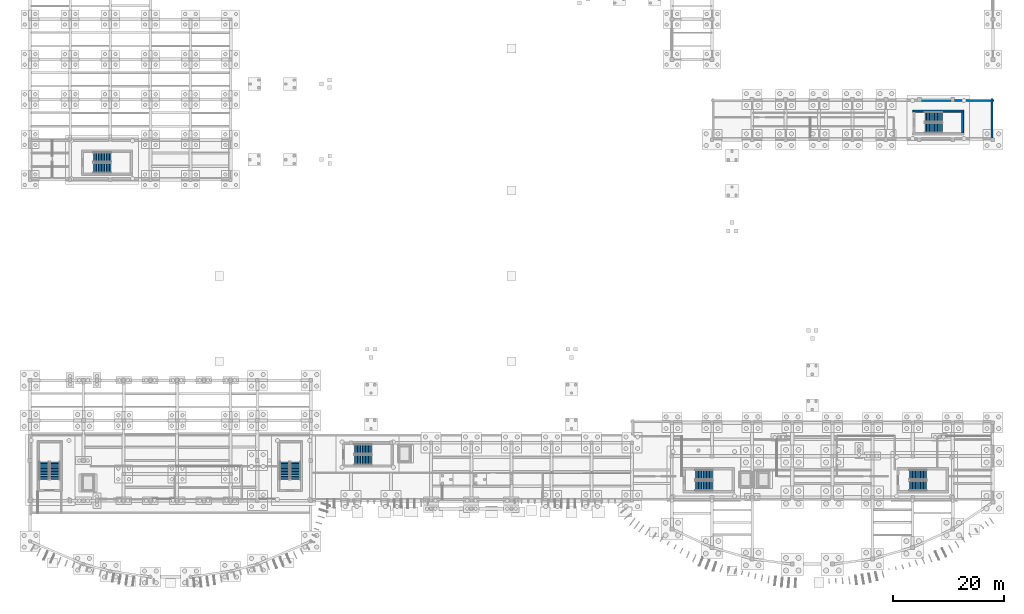
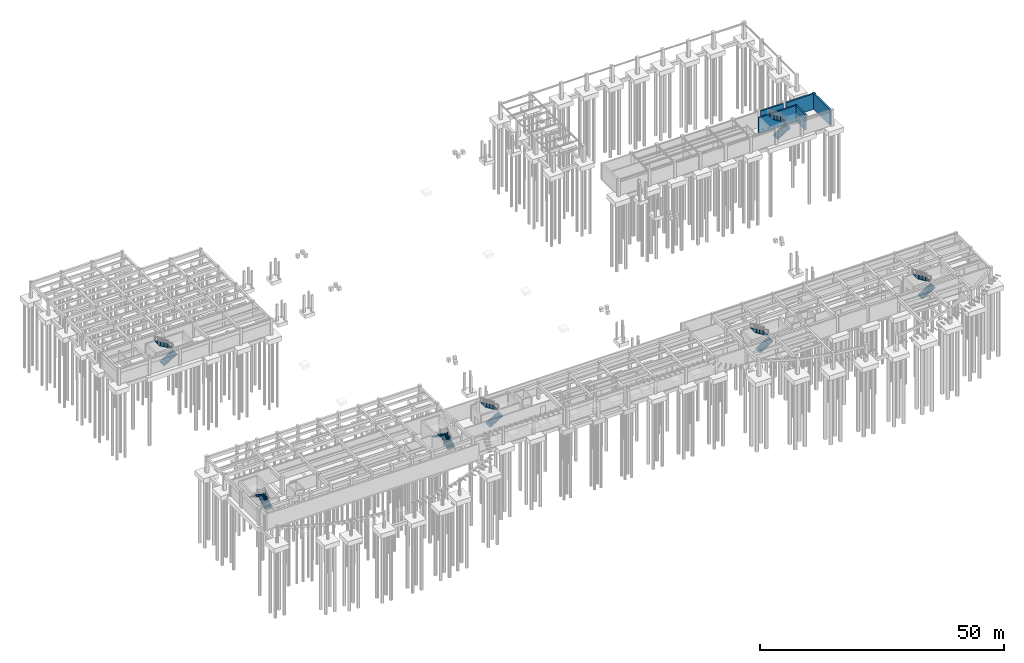
# One storey, part 20 of 31: 14 stair flights, 5 walls, 7 elements without a shape of their own.
"""IFC4 building model written with IfcOpenShell, lengths in metres."""

from ifc_helpers import new_model, si_unit, direction, frame, frame_2d, origin, place, context, subcontext, project, spatial, polyline, rectangle, outline, extrude, material, layer, layer_set, type_object, element, aggregate, save


model = new_model("IFC4")

# Units and contexts
model_context = context("Model", 3, precision=1e-05, world=origin(), true_north=direction((0.0, 1.0)))
body_context = subcontext(model_context, "Body", "Model", "MODEL_VIEW")
ifc_project = project(units=[si_unit("LENGTHUNIT", "METRE"), si_unit("AREAUNIT", "SQUARE_METRE"), si_unit("VOLUMEUNIT", "CUBIC_METRE"), si_unit("PLANEANGLEUNIT", "RADIAN"), si_unit("MASSUNIT", "GRAM", prefix="KILO")], contexts=[model_context])

# Site, building, storey
site_placement = place(None, origin())
site = spatial("IfcSite", under=ifc_project, at=site_placement, CompositionType="ELEMENT")
building_placement = place(site_placement, origin())
building = spatial("IfcBuilding", under=site, at=building_placement, Name="Brisavento Harbour Community Centre", CompositionType="ELEMENT")
storey_placement = place(building_placement, frame((0.0, 0.0, -4.199951171875)))
storey = spatial("IfcBuildingStorey", under=building, at=storey_placement, Name="B1", CompositionType="ELEMENT", Elevation=-4.199951171875)

# Walls
ifc_material_1 = material(Name="Concrete C35/45", Category="concrete")
ifc_layer_1 = layer(ifc_material_1, 0.3798828125, Name="Concrete C35/45")
ifc_layer_set_1 = layer_set([ifc_layer_1], Name="Concrete C35/45")
wall_type_1 = type_object("IfcWallType", Name="WL-B1-380", PredefinedType="SOLIDWALL", material=ifc_layer_set_1)
wall_1_placement = place(storey_placement, frame((172.6201171875, 86.590087890625, 0.0), z_axis=(0.0, 0.0, 1.0), x_axis=(0.0, -1.0, 0.0)))
element("IfcWall", 1, at=wall_1_placement, inside=storey, type_object=wall_type_1, Name="B1 perimeter retaining wall 0044", PredefinedType="SOLIDWALL", context=body_context, shape_type="SweptSolid", body=[
    extrude(rectangle(XDim=7.10498046875, YDim=0.3798828125, at=frame_2d((3.552490234375, 0.0))), origin(), (0.0, 0.0, 1.0), 3.919921875),
])
wall_2_placement = place(storey_placement, frame((159.93505859375, 86.219970703125, 0.0), z_axis=(0.0, 0.0, 1.0), x_axis=(1.0, 0.0, 0.0)))
element("IfcWall", 2, at=wall_2_placement, inside=storey, type_object=wall_type_1, Name="B1 perimeter retaining wall 0051", PredefinedType="SOLIDWALL", context=body_context, shape_type="SweptSolid", body=[
    extrude(rectangle(XDim=5.329833984375, YDim=0.3798828125, at=frame_2d((2.6650390625, 0.0))), origin(), (0.0, 0.0, 1.0), 3.919921875),
])
wall_3_placement = place(storey_placement, frame((165.93505859375, 86.219970703125, 0.0), z_axis=(0.0, 0.0, 1.0), x_axis=(1.0, 0.0, 0.0)))
element("IfcWall", 3, at=wall_3_placement, inside=storey, type_object=wall_type_1, Name="B1 perimeter retaining wall 0052", PredefinedType="SOLIDWALL", context=body_context, shape_type="SweptSolid", body=[
    extrude(rectangle(XDim=7.054931640625, YDim=0.3798828125, at=frame_2d((3.52734375, 0.0))), origin(), (0.0, 0.0, 1.0), 3.919921875),
])
ifc_material_2 = material(Name="Concrete C40/50", Category="concrete")
ifc_layer_2 = layer(ifc_material_2, 0.35009765625, Name="Concrete C40/50")
ifc_layer_set_2 = layer_set([ifc_layer_2], Name="Concrete C40/50")
wall_type_2 = type_object("IfcWallType", Name="WL-CORE-350", PredefinedType="SHEAR", material=ifc_layer_set_2)
wall_4_placement = place(storey_placement, frame((167.550048828125, 84.324951171875, 0.0), z_axis=(0.0, 0.0, 1.0), x_axis=(-1.0, 0.0, 0.0)))
element("IfcWall", 4, at=wall_4_placement, inside=storey, type_object=wall_type_2, Name="B1 core C4 shear wall R", PredefinedType="SHEAR", context=body_context, shape_type="SweptSolid", body=[
    extrude(rectangle(XDim=9.10009765625, YDim=0.35009765625, at=frame_2d((4.550048828125, 0.0))), origin(), (0.0, 0.0, 1.0), 3.919921875),
])
wall_5_placement = place(storey_placement, frame((167.375, 80.39990234375, 0.0), z_axis=(0.0, 0.0, 1.0), x_axis=(0.0, 1.0, 0.0)))
element("IfcWall", 5, at=wall_5_placement, inside=storey, type_object=wall_type_2, Name="B1 core C4 shear wall F", PredefinedType="SHEAR", context=body_context, shape_type="SweptSolid", body=[
    extrude(rectangle(XDim=3.75, YDim=0.35009765625, at=frame_2d((1.875, 0.0))), origin(), (0.0, 0.0, 1.0), 3.919921875),
])

# Stair, stair flights
stair_type = type_object("IfcStairType", Name="STR-DL-4200", PredefinedType="HALF_TURN_STAIR", material=ifc_material_1)
stair_1_placement = place(storey_placement, origin())
stair_1 = element("IfcStair", 6, at=stair_1_placement, inside=storey, type_object=stair_type, Name="B1 ST-01", PredefinedType="HALF_TURN_STAIR")
stair_flight_type = type_object("IfcStairFlightType", Name="FLT-DL-4200", PredefinedType="STRAIGHT", material=ifc_material_1)
stair_flight_1_placement = place(storey_placement, frame((4.5, 18.199951171875, 0.0), z_axis=(0.0, 0.0, 1.0), x_axis=(0.0, 1.0, 0.0)))
stair_flight_1 = element("IfcStairFlight", 7, at=stair_flight_1_placement, type_object=stair_flight_type, Name="ST-01 flight 1", NumberOfRisers=12, NumberOfTreads=11, PredefinedType="STRAIGHT", RiserHeight=0.175, TreadLength=0.285, context=body_context, shape_type="SweptSolid", body=[
    extrude(outline(polyline([(0.0, 0.0), (0.0, 0.175048828125), (0.284912109375, 0.175048828125), (0.284912109375, 0.35009765625), (0.570068359375, 0.35009765625), (0.570068359375, 0.52490234375), (0.85498046875, 0.52490234375), (0.85498046875, 0.699951171875), (1.139892578125, 0.699951171875), (1.139892578125, 0.875), (1.425048828125, 0.875), (1.425048828125, 1.050048828125), (1.7099609375, 1.050048828125), (1.7099609375, 1.22509765625), (1.9951171875, 1.22509765625), (1.9951171875, 1.39990234375), (2.280029296875, 1.39990234375), (2.280029296875, 1.574951171875), (2.56494140625, 1.574951171875), (2.56494140625, 1.75), (2.85009765625, 1.75), (2.85009765625, 1.925048828125), (3.135009765625, 1.925048828125), (3.135009765625, 2.10009765625), (3.135009765625, 1.7490234375), (0.286376953125, 0.0), (0.0, 0.0)])), frame((0.0, 0.89990234375, 0.0), z_axis=(0.0, -1.0, 0.0), x_axis=(1.0, 0.0, 0.0)), (0.0, 0.0, 1.0), 1.800048828125),
])
stair_flight_2_placement = place(storey_placement, frame((2.550048828125, 21.3349609375, 2.099853515625), z_axis=(0.0, 0.0, 1.0), x_axis=(0.0, -1.0, 0.0)))
stair_flight_2 = element("IfcStairFlight", 8, at=stair_flight_2_placement, type_object=stair_flight_type, Name="ST-01 flight 2", NumberOfRisers=12, NumberOfTreads=11, PredefinedType="STRAIGHT", RiserHeight=0.175, TreadLength=0.285, context=body_context, shape_type="SweptSolid", body=[
    extrude(outline(polyline([(0.0, 0.0), (0.0, 0.175048828125), (0.284912109375, 0.175048828125), (0.284912109375, 0.35009765625), (0.570068359375, 0.35009765625), (0.570068359375, 0.52490234375), (0.85498046875, 0.52490234375), (0.85498046875, 0.699951171875), (1.139892578125, 0.699951171875), (1.139892578125, 0.875), (1.425048828125, 0.875), (1.425048828125, 1.050048828125), (1.7099609375, 1.050048828125), (1.7099609375, 1.22509765625), (1.9951171875, 1.22509765625), (1.9951171875, 1.39990234375), (2.280029296875, 1.39990234375), (2.280029296875, 1.574951171875), (2.56494140625, 1.574951171875), (2.56494140625, 1.75), (2.85009765625, 1.75), (2.85009765625, 1.925048828125), (3.135009765625, 1.925048828125), (3.135009765625, 2.10009765625), (3.135009765625, 1.7490234375), (0.286376953125, 0.0), (0.0, 0.0)])), frame((0.0, 0.89990234375, 0.0), z_axis=(0.0, -1.0, 0.0), x_axis=(1.0, 0.0, 0.0)), (0.0, 0.0, 1.0), 1.800048828125),
])
aggregate(stair_1, [stair_flight_1, stair_flight_2])

stair_2_placement = place(storey_placement, origin())
stair_2 = element("IfcStair", 9, at=stair_2_placement, inside=storey, type_object=stair_type, Name="B1 ST-02", PredefinedType="HALF_TURN_STAIR")
stair_flight_3_placement = place(storey_placement, frame((47.64990234375, 18.199951171875, 0.0), z_axis=(0.0, 0.0, 1.0), x_axis=(0.0, 1.0, 0.0)))
stair_flight_3 = element("IfcStairFlight", 10, at=stair_flight_3_placement, type_object=stair_flight_type, Name="ST-02 flight 1", NumberOfRisers=12, NumberOfTreads=11, PredefinedType="STRAIGHT", RiserHeight=0.175, TreadLength=0.285, context=body_context, shape_type="SweptSolid", body=[
    extrude(outline(polyline([(0.0, 0.0), (0.0, 0.175048828125), (0.284912109375, 0.175048828125), (0.284912109375, 0.35009765625), (0.570068359375, 0.35009765625), (0.570068359375, 0.52490234375), (0.85498046875, 0.52490234375), (0.85498046875, 0.699951171875), (1.139892578125, 0.699951171875), (1.139892578125, 0.875), (1.425048828125, 0.875), (1.425048828125, 1.050048828125), (1.7099609375, 1.050048828125), (1.7099609375, 1.22509765625), (1.9951171875, 1.22509765625), (1.9951171875, 1.39990234375), (2.280029296875, 1.39990234375), (2.280029296875, 1.574951171875), (2.56494140625, 1.574951171875), (2.56494140625, 1.75), (2.85009765625, 1.75), (2.85009765625, 1.925048828125), (3.135009765625, 1.925048828125), (3.135009765625, 2.10009765625), (3.135009765625, 1.7490234375), (0.286376953125, 0.0), (0.0, 0.0)])), frame((0.0, 0.89990234375, 0.0), z_axis=(0.0, -1.0, 0.0), x_axis=(1.0, 0.0, 0.0)), (0.0, 0.0, 1.0), 1.800048828125),
])
stair_flight_4_placement = place(storey_placement, frame((45.699951171875, 21.3349609375, 2.099853515625), z_axis=(0.0, 0.0, 1.0), x_axis=(0.0, -1.0, 0.0)))
stair_flight_4 = element("IfcStairFlight", 11, at=stair_flight_4_placement, type_object=stair_flight_type, Name="ST-02 flight 2", NumberOfRisers=12, NumberOfTreads=11, PredefinedType="STRAIGHT", RiserHeight=0.175, TreadLength=0.285, context=body_context, shape_type="SweptSolid", body=[
    extrude(outline(polyline([(0.0, 0.0), (0.0, 0.175048828125), (0.284912109375, 0.175048828125), (0.284912109375, 0.35009765625), (0.570068359375, 0.35009765625), (0.570068359375, 0.52490234375), (0.85498046875, 0.52490234375), (0.85498046875, 0.699951171875), (1.139892578125, 0.699951171875), (1.139892578125, 0.875), (1.425048828125, 0.875), (1.425048828125, 1.050048828125), (1.7099609375, 1.050048828125), (1.7099609375, 1.22509765625), (1.9951171875, 1.22509765625), (1.9951171875, 1.39990234375), (2.280029296875, 1.39990234375), (2.280029296875, 1.574951171875), (2.56494140625, 1.574951171875), (2.56494140625, 1.75), (2.85009765625, 1.75), (2.85009765625, 1.925048828125), (3.135009765625, 1.925048828125), (3.135009765625, 2.10009765625), (3.135009765625, 1.7490234375), (0.286376953125, 0.0), (0.0, 0.0)])), frame((0.0, 0.89990234375, 0.0), z_axis=(0.0, -1.0, 0.0), x_axis=(1.0, 0.0, 0.0)), (0.0, 0.0, 1.0), 1.800048828125),
])
aggregate(stair_2, [stair_flight_3, stair_flight_4])

stair_3_placement = place(storey_placement, origin())
stair_3 = element("IfcStair", 12, at=stair_3_placement, inside=storey, type_object=stair_type, Name="B1 ST-03", PredefinedType="HALF_TURN_STAIR")
stair_flight_5_placement = place(storey_placement, frame((58.199951171875, 21.699951171875, 0.0), z_axis=(0.0, 0.0, 1.0), x_axis=(1.0, 0.0, 0.0)))
stair_flight_5 = element("IfcStairFlight", 13, at=stair_flight_5_placement, type_object=stair_flight_type, Name="ST-03 flight 1", NumberOfRisers=12, NumberOfTreads=11, PredefinedType="STRAIGHT", RiserHeight=0.175, TreadLength=0.285, context=body_context, shape_type="SweptSolid", body=[
    extrude(outline(polyline([(0.0, 0.0), (0.0, 0.175048828125), (0.284912109375, 0.175048828125), (0.284912109375, 0.35009765625), (0.570068359375, 0.35009765625), (0.570068359375, 0.52490234375), (0.85498046875, 0.52490234375), (0.85498046875, 0.699951171875), (1.139892578125, 0.699951171875), (1.139892578125, 0.875), (1.425048828125, 0.875), (1.425048828125, 1.050048828125), (1.7099609375, 1.050048828125), (1.7099609375, 1.22509765625), (1.9951171875, 1.22509765625), (1.9951171875, 1.39990234375), (2.280029296875, 1.39990234375), (2.280029296875, 1.574951171875), (2.56494140625, 1.574951171875), (2.56494140625, 1.75), (2.85009765625, 1.75), (2.85009765625, 1.925048828125), (3.135009765625, 1.925048828125), (3.135009765625, 2.10009765625), (3.135009765625, 1.7490234375), (0.286376953125, 0.0), (0.0, 0.0)])), frame((0.0, 0.89990234375, 0.0), z_axis=(0.0, -1.0, 0.0), x_axis=(1.0, 0.0, 0.0)), (0.0, 0.0, 1.0), 1.800048828125),
])
stair_flight_6_placement = place(storey_placement, frame((61.3349609375, 23.64990234375, 2.099853515625), z_axis=(0.0, 0.0, 1.0), x_axis=(-1.0, 0.0, 0.0)))
stair_flight_6 = element("IfcStairFlight", 14, at=stair_flight_6_placement, type_object=stair_flight_type, Name="ST-03 flight 2", NumberOfRisers=12, NumberOfTreads=11, PredefinedType="STRAIGHT", RiserHeight=0.175, TreadLength=0.285, context=body_context, shape_type="SweptSolid", body=[
    extrude(outline(polyline([(0.0, 0.0), (0.0, 0.175048828125), (0.284912109375, 0.175048828125), (0.284912109375, 0.35009765625), (0.570068359375, 0.35009765625), (0.570068359375, 0.52490234375), (0.85498046875, 0.52490234375), (0.85498046875, 0.699951171875), (1.139892578125, 0.699951171875), (1.139892578125, 0.875), (1.425048828125, 0.875), (1.425048828125, 1.050048828125), (1.7099609375, 1.050048828125), (1.7099609375, 1.22509765625), (1.9951171875, 1.22509765625), (1.9951171875, 1.39990234375), (2.280029296875, 1.39990234375), (2.280029296875, 1.574951171875), (2.56494140625, 1.574951171875), (2.56494140625, 1.75), (2.85009765625, 1.75), (2.85009765625, 1.925048828125), (3.135009765625, 1.925048828125), (3.135009765625, 2.10009765625), (3.135009765625, 1.7490234375), (0.286376953125, 0.0), (0.0, 0.0)])), frame((0.0, 0.89990234375, 0.0), z_axis=(0.0, -1.0, 0.0), x_axis=(1.0, 0.0, 0.0)), (0.0, 0.0, 1.0), 1.800048828125),
])
aggregate(stair_3, [stair_flight_5, stair_flight_6])

stair_4_placement = place(storey_placement, origin())
stair_4 = element("IfcStair", 15, at=stair_4_placement, inside=storey, type_object=stair_type, Name="B1 ST-04", PredefinedType="HALF_TURN_STAIR")
stair_flight_7_placement = place(storey_placement, frame((119.39990234375, 17.10009765625, 0.0), z_axis=(0.0, 0.0, 1.0), x_axis=(1.0, 0.0, 0.0)))
stair_flight_7 = element("IfcStairFlight", 16, at=stair_flight_7_placement, type_object=stair_flight_type, Name="ST-04 flight 1", NumberOfRisers=12, NumberOfTreads=11, PredefinedType="STRAIGHT", RiserHeight=0.175, TreadLength=0.285, context=body_context, shape_type="SweptSolid", body=[
    extrude(outline(polyline([(0.0, 0.0), (0.0, 0.175048828125), (0.284912109375, 0.175048828125), (0.284912109375, 0.35009765625), (0.570068359375, 0.35009765625), (0.570068359375, 0.52490234375), (0.85498046875, 0.52490234375), (0.85498046875, 0.699951171875), (1.139892578125, 0.699951171875), (1.139892578125, 0.875), (1.425048828125, 0.875), (1.425048828125, 1.050048828125), (1.7099609375, 1.050048828125), (1.7099609375, 1.22509765625), (1.9951171875, 1.22509765625), (1.9951171875, 1.39990234375), (2.280029296875, 1.39990234375), (2.280029296875, 1.574951171875), (2.56494140625, 1.574951171875), (2.56494140625, 1.75), (2.85009765625, 1.75), (2.85009765625, 1.925048828125), (3.135009765625, 1.925048828125), (3.135009765625, 2.10009765625), (3.135009765625, 1.7490234375), (0.286376953125, 0.0), (0.0, 0.0)])), frame((0.0, 0.89990234375, 0.0), z_axis=(0.0, -1.0, 0.0), x_axis=(1.0, 0.0, 0.0)), (0.0, 0.0, 1.0), 1.800048828125),
])
stair_flight_8_placement = place(storey_placement, frame((122.534912109375, 19.050048828125, 2.099853515625), z_axis=(0.0, 0.0, 1.0), x_axis=(-1.0, 0.0, 0.0)))
stair_flight_8 = element("IfcStairFlight", 17, at=stair_flight_8_placement, type_object=stair_flight_type, Name="ST-04 flight 2", NumberOfRisers=12, NumberOfTreads=11, PredefinedType="STRAIGHT", RiserHeight=0.175, TreadLength=0.285, context=body_context, shape_type="SweptSolid", body=[
    extrude(outline(polyline([(0.0, 0.0), (0.0, 0.175048828125), (0.284912109375, 0.175048828125), (0.284912109375, 0.35009765625), (0.570068359375, 0.35009765625), (0.570068359375, 0.52490234375), (0.85498046875, 0.52490234375), (0.85498046875, 0.699951171875), (1.139892578125, 0.699951171875), (1.139892578125, 0.875), (1.425048828125, 0.875), (1.425048828125, 1.050048828125), (1.7099609375, 1.050048828125), (1.7099609375, 1.22509765625), (1.9951171875, 1.22509765625), (1.9951171875, 1.39990234375), (2.280029296875, 1.39990234375), (2.280029296875, 1.574951171875), (2.56494140625, 1.574951171875), (2.56494140625, 1.75), (2.85009765625, 1.75), (2.85009765625, 1.925048828125), (3.135009765625, 1.925048828125), (3.135009765625, 2.10009765625), (3.135009765625, 1.7490234375), (0.286376953125, 0.0), (0.0, 0.0)])), frame((0.0, 0.89990234375, 0.0), z_axis=(0.0, -1.0, 0.0), x_axis=(1.0, 0.0, 0.0)), (0.0, 0.0, 1.0), 1.800048828125),
])
aggregate(stair_4, [stair_flight_7, stair_flight_8])

stair_5_placement = place(storey_placement, origin())
stair_5 = element("IfcStair", 18, at=stair_5_placement, inside=storey, type_object=stair_type, Name="B1 ST-05", PredefinedType="HALF_TURN_STAIR")
stair_flight_9_placement = place(storey_placement, frame((157.800048828125, 17.10009765625, 0.0), z_axis=(0.0, 0.0, 1.0), x_axis=(1.0, 0.0, 0.0)))
stair_flight_9 = element("IfcStairFlight", 19, at=stair_flight_9_placement, type_object=stair_flight_type, Name="ST-05 flight 1", NumberOfRisers=12, NumberOfTreads=11, PredefinedType="STRAIGHT", RiserHeight=0.175, TreadLength=0.285, context=body_context, shape_type="SweptSolid", body=[
    extrude(outline(polyline([(0.0, 0.0), (0.0, 0.175048828125), (0.284912109375, 0.175048828125), (0.284912109375, 0.35009765625), (0.570068359375, 0.35009765625), (0.570068359375, 0.52490234375), (0.85498046875, 0.52490234375), (0.85498046875, 0.699951171875), (1.139892578125, 0.699951171875), (1.139892578125, 0.875), (1.425048828125, 0.875), (1.425048828125, 1.050048828125), (1.7099609375, 1.050048828125), (1.7099609375, 1.22509765625), (1.9951171875, 1.22509765625), (1.9951171875, 1.39990234375), (2.280029296875, 1.39990234375), (2.280029296875, 1.574951171875), (2.56494140625, 1.574951171875), (2.56494140625, 1.75), (2.85009765625, 1.75), (2.85009765625, 1.925048828125), (3.135009765625, 1.925048828125), (3.135009765625, 2.10009765625), (3.135009765625, 1.7490234375), (0.286376953125, 0.0), (0.0, 0.0)])), frame((0.0, 0.89990234375, 0.0), z_axis=(0.0, -1.0, 0.0), x_axis=(1.0, 0.0, 0.0)), (0.0, 0.0, 1.0), 1.800048828125),
])
stair_flight_10_placement = place(storey_placement, frame((160.93505859375, 19.050048828125, 2.099853515625), z_axis=(0.0, 0.0, 1.0), x_axis=(-1.0, 0.0, 0.0)))
stair_flight_10 = element("IfcStairFlight", 20, at=stair_flight_10_placement, type_object=stair_flight_type, Name="ST-05 flight 2", NumberOfRisers=12, NumberOfTreads=11, PredefinedType="STRAIGHT", RiserHeight=0.175, TreadLength=0.285, context=body_context, shape_type="SweptSolid", body=[
    extrude(outline(polyline([(0.0, 0.0), (0.0, 0.175048828125), (0.284912109375, 0.175048828125), (0.284912109375, 0.35009765625), (0.570068359375, 0.35009765625), (0.570068359375, 0.52490234375), (0.85498046875, 0.52490234375), (0.85498046875, 0.699951171875), (1.139892578125, 0.699951171875), (1.139892578125, 0.875), (1.425048828125, 0.875), (1.425048828125, 1.050048828125), (1.7099609375, 1.050048828125), (1.7099609375, 1.22509765625), (1.9951171875, 1.22509765625), (1.9951171875, 1.39990234375), (2.280029296875, 1.39990234375), (2.280029296875, 1.574951171875), (2.56494140625, 1.574951171875), (2.56494140625, 1.75), (2.85009765625, 1.75), (2.85009765625, 1.925048828125), (3.135009765625, 1.925048828125), (3.135009765625, 2.10009765625), (3.135009765625, 1.7490234375), (0.286376953125, 0.0), (0.0, 0.0)])), frame((0.0, 0.89990234375, 0.0), z_axis=(0.0, -1.0, 0.0), x_axis=(1.0, 0.0, 0.0)), (0.0, 0.0, 1.0), 1.800048828125),
])
aggregate(stair_5, [stair_flight_9, stair_flight_10])

stair_6_placement = place(storey_placement, origin())
stair_6 = element("IfcStair", 21, at=stair_6_placement, inside=storey, type_object=stair_type, Name="B1 ST-06", PredefinedType="HALF_TURN_STAIR")
stair_flight_11_placement = place(storey_placement, frame((160.60009765625, 81.300048828125, 0.0), z_axis=(0.0, 0.0, 1.0), x_axis=(1.0, 0.0, 0.0)))
stair_flight_11 = element("IfcStairFlight", 22, at=stair_flight_11_placement, type_object=stair_flight_type, Name="ST-06 flight 1", NumberOfRisers=12, NumberOfTreads=11, PredefinedType="STRAIGHT", RiserHeight=0.175, TreadLength=0.285, context=body_context, shape_type="SweptSolid", body=[
    extrude(outline(polyline([(0.0, 0.0), (0.0, 0.175048828125), (0.284912109375, 0.175048828125), (0.284912109375, 0.35009765625), (0.570068359375, 0.35009765625), (0.570068359375, 0.52490234375), (0.85498046875, 0.52490234375), (0.85498046875, 0.699951171875), (1.139892578125, 0.699951171875), (1.139892578125, 0.875), (1.425048828125, 0.875), (1.425048828125, 1.050048828125), (1.7099609375, 1.050048828125), (1.7099609375, 1.22509765625), (1.9951171875, 1.22509765625), (1.9951171875, 1.39990234375), (2.280029296875, 1.39990234375), (2.280029296875, 1.574951171875), (2.56494140625, 1.574951171875), (2.56494140625, 1.75), (2.85009765625, 1.75), (2.85009765625, 1.925048828125), (3.135009765625, 1.925048828125), (3.135009765625, 2.10009765625), (3.135009765625, 1.7490234375), (0.286376953125, 0.0), (0.0, 0.0)])), frame((0.0, 0.89990234375, 0.0), z_axis=(0.0, -1.0, 0.0), x_axis=(1.0, 0.0, 0.0)), (0.0, 0.0, 1.0), 1.800048828125),
])
stair_flight_12_placement = place(storey_placement, frame((163.735107421875, 83.25, 2.099853515625), z_axis=(0.0, 0.0, 1.0), x_axis=(-1.0, 0.0, 0.0)))
stair_flight_12 = element("IfcStairFlight", 23, at=stair_flight_12_placement, type_object=stair_flight_type, Name="ST-06 flight 2", NumberOfRisers=12, NumberOfTreads=11, PredefinedType="STRAIGHT", RiserHeight=0.175, TreadLength=0.285, context=body_context, shape_type="SweptSolid", body=[
    extrude(outline(polyline([(0.0, 0.0), (0.0, 0.175048828125), (0.284912109375, 0.175048828125), (0.284912109375, 0.35009765625), (0.570068359375, 0.35009765625), (0.570068359375, 0.52490234375), (0.85498046875, 0.52490234375), (0.85498046875, 0.699951171875), (1.139892578125, 0.699951171875), (1.139892578125, 0.875), (1.425048828125, 0.875), (1.425048828125, 1.050048828125), (1.7099609375, 1.050048828125), (1.7099609375, 1.22509765625), (1.9951171875, 1.22509765625), (1.9951171875, 1.39990234375), (2.280029296875, 1.39990234375), (2.280029296875, 1.574951171875), (2.56494140625, 1.574951171875), (2.56494140625, 1.75), (2.85009765625, 1.75), (2.85009765625, 1.925048828125), (3.135009765625, 1.925048828125), (3.135009765625, 2.10009765625), (3.135009765625, 1.7490234375), (0.286376953125, 0.0), (0.0, 0.0)])), frame((0.0, 0.89990234375, 0.0), z_axis=(0.0, -1.0, 0.0), x_axis=(1.0, 0.0, 0.0)), (0.0, 0.0, 1.0), 1.800048828125),
])
aggregate(stair_6, [stair_flight_11, stair_flight_12])

stair_7_placement = place(storey_placement, origin())
stair_7 = element("IfcStair", 24, at=stair_7_placement, inside=storey, type_object=stair_type, Name="B1 ST-07", PredefinedType="HALF_TURN_STAIR")
stair_flight_13_placement = place(storey_placement, frame((11.39990234375, 74.10009765625, 0.0), z_axis=(0.0, 0.0, 1.0), x_axis=(1.0, 0.0, 0.0)))
stair_flight_13 = element("IfcStairFlight", 25, at=stair_flight_13_placement, type_object=stair_flight_type, Name="ST-07 flight 1", NumberOfRisers=12, NumberOfTreads=11, PredefinedType="STRAIGHT", RiserHeight=0.175, TreadLength=0.285, context=body_context, shape_type="SweptSolid", body=[
    extrude(outline(polyline([(0.0, 0.0), (0.0, 0.175048828125), (0.284912109375, 0.175048828125), (0.284912109375, 0.35009765625), (0.570068359375, 0.35009765625), (0.570068359375, 0.52490234375), (0.85498046875, 0.52490234375), (0.85498046875, 0.699951171875), (1.139892578125, 0.699951171875), (1.139892578125, 0.875), (1.425048828125, 0.875), (1.425048828125, 1.050048828125), (1.7099609375, 1.050048828125), (1.7099609375, 1.22509765625), (1.9951171875, 1.22509765625), (1.9951171875, 1.39990234375), (2.280029296875, 1.39990234375), (2.280029296875, 1.574951171875), (2.56494140625, 1.574951171875), (2.56494140625, 1.75), (2.85009765625, 1.75), (2.85009765625, 1.925048828125), (3.135009765625, 1.925048828125), (3.135009765625, 2.10009765625), (3.135009765625, 1.7490234375), (0.286376953125, 0.0), (0.0, 0.0)])), frame((0.0, 0.89990234375, 0.0), z_axis=(0.0, -1.0, 0.0), x_axis=(1.0, 0.0, 0.0)), (0.0, 0.0, 1.0), 1.800048828125),
])
stair_flight_14_placement = place(storey_placement, frame((14.534912109375, 76.050048828125, 2.099853515625), z_axis=(0.0, 0.0, 1.0), x_axis=(-1.0, 0.0, 0.0)))
stair_flight_14 = element("IfcStairFlight", 26, at=stair_flight_14_placement, type_object=stair_flight_type, Name="ST-07 flight 2", NumberOfRisers=12, NumberOfTreads=11, PredefinedType="STRAIGHT", RiserHeight=0.175, TreadLength=0.285, context=body_context, shape_type="SweptSolid", body=[
    extrude(outline(polyline([(0.0, 0.0), (0.0, 0.175048828125), (0.284912109375, 0.175048828125), (0.284912109375, 0.35009765625), (0.570068359375, 0.35009765625), (0.570068359375, 0.52490234375), (0.85498046875, 0.52490234375), (0.85498046875, 0.699951171875), (1.139892578125, 0.699951171875), (1.139892578125, 0.875), (1.425048828125, 0.875), (1.425048828125, 1.050048828125), (1.7099609375, 1.050048828125), (1.7099609375, 1.22509765625), (1.9951171875, 1.22509765625), (1.9951171875, 1.39990234375), (2.280029296875, 1.39990234375), (2.280029296875, 1.574951171875), (2.56494140625, 1.574951171875), (2.56494140625, 1.75), (2.85009765625, 1.75), (2.85009765625, 1.925048828125), (3.135009765625, 1.925048828125), (3.135009765625, 2.10009765625), (3.135009765625, 1.7490234375), (0.286376953125, 0.0), (0.0, 0.0)])), frame((0.0, 0.89990234375, 0.0), z_axis=(0.0, -1.0, 0.0), x_axis=(1.0, 0.0, 0.0)), (0.0, 0.0, 1.0), 1.800048828125),
])
aggregate(stair_7, [stair_flight_13, stair_flight_14])

save(model, "model.ifc")
